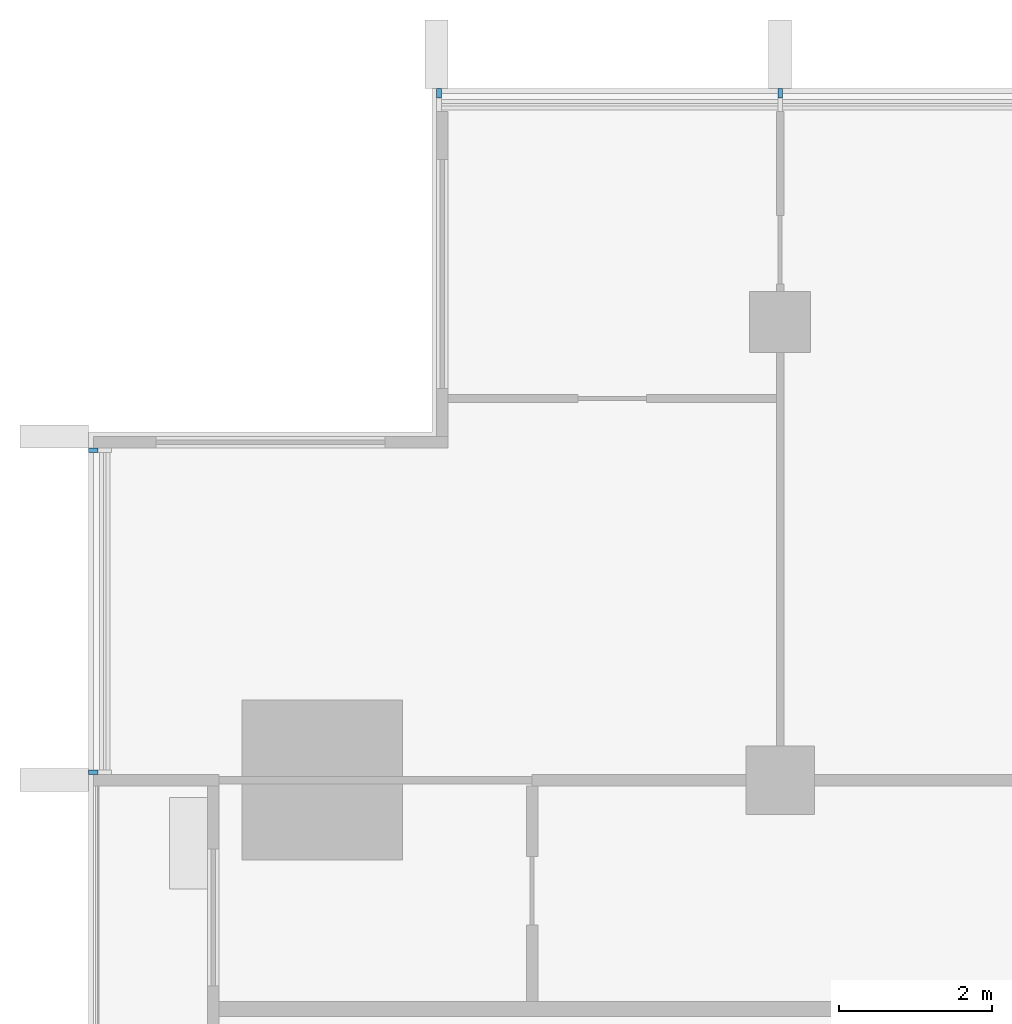
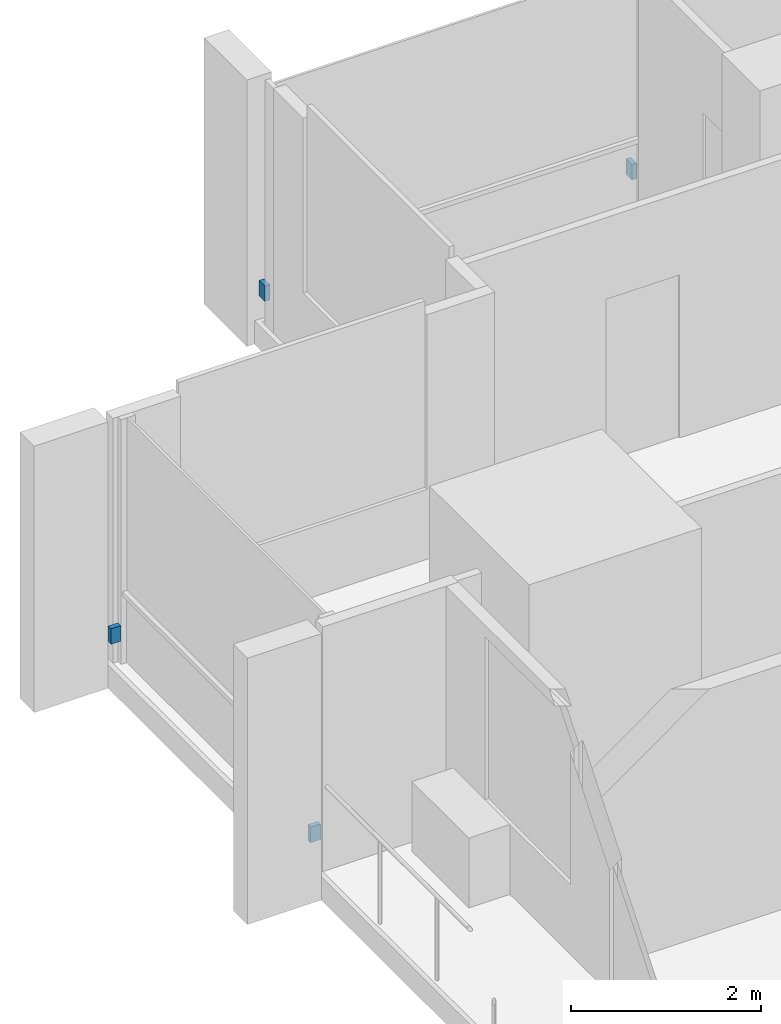
# One storey, part 14 of 16: 4 discrete accessories.
"""IFC4 building model written with IfcOpenShell, lengths in metres."""

import ifcopenshell
import ifcopenshell.guid

model = None  # the IFC model being written
_history = None  # IfcOwnerHistory: only IFC2X3 demands one
_inside = {}  # id of a spatial element -> (the spatial element, [elements in it])
_under = {}  # id of a project, library or spatial element -> (it, [spatial elements below it])
_declared = {}  # id of a project -> (the project, [libraries it declares])
_typed = {}  # id of a type object -> (the type object, [elements of that type])
_made_of = {}  # id of a material, layer set ... -> (it, [elements and type objects made of it])


def new_model(schema):
    """Start an empty IFC model of exactly this schema.

    Asked for "IFC4X3", IfcOpenShell would pick the latest addendum, in which some entities
    have other attributes; the version numbers below select the first issue.
    IFC2X3 requires an IfcOwnerHistory on every rooted entity: one is made here for all.
    """
    global model, _history
    if schema == "IFC4X3":
        model = ifcopenshell.file(schema_version=(4, 3, 0, 0))
    else:
        model = ifcopenshell.file(schema=schema)
    _inside.clear()
    _under.clear()
    _declared.clear()
    _typed.clear()
    _made_of.clear()
    _history = None
    if model.schema == "IFC2X3":
        org = make("IfcOrganization", Name="unknown")
        user = make(
            "IfcPersonAndOrganization",
            ThePerson=make("IfcPerson", FamilyName="unknown"),
            TheOrganization=org,
        )
        app = make(
            "IfcApplication",
            ApplicationDeveloper=org,
            Version="unknown",
            ApplicationFullName="unknown",
            ApplicationIdentifier="unknown",
        )
        _history = make(
            "IfcOwnerHistory",
            OwningUser=user,
            OwningApplication=app,
            ChangeAction="ADDED",
            CreationDate=0,
        )
    return model


def make(cls, **values):
    """One entity of the class cls with the attributes given. An attribute that is None is left unset."""
    return model.create_entity(
        cls, **{name: value for name, value in values.items() if value is not None}
    )


def rooted(cls, **values):
    """An entity with a GlobalId (a new one), such as an element, a storey or a relation."""
    return make(cls, GlobalId=ifcopenshell.guid.new(), OwnerHistory=_history, **values)


def si_unit(unit_type, name, prefix=None):
    """IfcSIUnit, for example si_unit("LENGTHUNIT", "METRE", prefix="MILLI")."""
    return make("IfcSIUnit", UnitType=unit_type, Prefix=prefix, Name=name)


def assignment(units):
    """IfcUnitAssignment: the units of a project."""
    return None if units is None else make("IfcUnitAssignment", Units=units)


def point(xyz):
    """IfcCartesianPoint."""
    return None if xyz is None else make("IfcCartesianPoint", Coordinates=xyz)


def direction(xyz):
    """IfcDirection."""
    return None if xyz is None else make("IfcDirection", DirectionRatios=xyz)


def frame(location, z_axis=None, x_axis=None):
    """IfcAxis2Placement3D, a coordinate frame: its origin and axes. An axis left out is left unset."""
    return make(
        "IfcAxis2Placement3D",
        Location=point(location),
        Axis=direction(z_axis),
        RefDirection=direction(x_axis),
    )


def frame_2d(location, x_axis=None):
    """IfcAxis2Placement2D, a coordinate frame in the plane: its origin and x axis."""
    return make(
        "IfcAxis2Placement2D", Location=point(location), RefDirection=direction(x_axis)
    )


def origin():
    """The frame at (0, 0, 0) with its axes left unset."""
    return frame((0.0, 0.0, 0.0))


def origin_2d():
    """The frame at (0, 0) in the plane with its x axis left unset."""
    return frame_2d((0.0, 0.0))


def place(relative_to, where):
    """IfcLocalPlacement: puts the frame where relative to a parent placement (None: the world)."""
    return make(
        "IfcLocalPlacement", PlacementRelTo=relative_to, RelativePlacement=where
    )


def context(
    kind, dimensions, precision=None, world=None, true_north=None, identifier=None
):
    """IfcGeometricRepresentationContext, for example the 3D "Model" context."""
    return make(
        "IfcGeometricRepresentationContext",
        ContextIdentifier=identifier,
        ContextType=kind,
        CoordinateSpaceDimension=dimensions,
        Precision=precision,
        WorldCoordinateSystem=world,
        TrueNorth=true_north,
    )


def subcontext(parent, identifier, kind, view, scale=None):
    """IfcGeometricRepresentationSubContext, for example "Body" below "Model"."""
    return make(
        "IfcGeometricRepresentationSubContext",
        ContextIdentifier=identifier,
        ContextType=kind,
        ParentContext=parent,
        TargetScale=scale,
        TargetView=view,
    )


def project(units=None, contexts=None):
    """IfcProject with its units and contexts."""
    return rooted(
        "IfcProject",
        Name="project",
        RepresentationContexts=contexts,
        UnitsInContext=assignment(units),
    )


def spatial(cls, under=None, at=None, **own):
    """A site, building, storey or space (cls), placed at a placement, below another one or the project."""
    s = rooted(cls, ObjectPlacement=at, **own)
    if under is not None:
        _under.setdefault(under.id(), (under, []))[1].append(s)
    return s


def profile(cls, at=None, kind="AREA", **sizes):
    """A parametric profile (cls). Its sizes go by their IFC names, for example OverallWidth=200.0."""
    return make(cls, ProfileType=kind, Position=at, **sizes)


def rectangle(**sizes):
    """IfcRectangleProfileDef."""
    return profile("IfcRectangleProfileDef", **sizes)


def extrude(swept, where, along, depth):
    """IfcExtrudedAreaSolid: the profile swept, set in the frame where, extruded along a direction by depth."""
    return make(
        "IfcExtrudedAreaSolid",
        SweptArea=swept,
        Position=where,
        ExtrudedDirection=direction(along),
        Depth=depth,
    )


def shape(context_of_items, identifier, shape_type, items):
    """IfcShapeRepresentation: the items that make up one representation, for example the "Body"."""
    return make(
        "IfcShapeRepresentation",
        ContextOfItems=context_of_items,
        RepresentationIdentifier=identifier,
        RepresentationType=shape_type,
        Items=items,
    )


def material(Name=None, Category=None):
    """IfcMaterial."""
    return make("IfcMaterial", Name=Name, Category=Category)


def made_of(thing, what):
    """Note that an element or type object is made of a material, layer set ...; save() writes the relation."""
    if what is not None:
        _made_of.setdefault(what.id(), (what, []))[1].append(thing)
    return thing


def type_object(cls, material=None, **own):
    """A type object (cls), such as IfcWallType, which elements share."""
    return made_of(rooted(cls, **own), material)


def element(
    cls,
    number,
    at=None,
    inside=None,
    cuts=None,
    type_object=None,
    material=None,
    context=None,
    identifier="Body",
    shape_type=None,
    held_by="IfcProductDefinitionShape",
    body=None,
    shapes=None,
    **own,
):
    """One element of the class cls, such as IfcWall. Its Tag is "e" and its number.

    at: its placement. inside: the storey or other place that contains it. cuts: it is an
    opening in that element (IfcRelVoidsElement). A single representation is given by context,
    identifier, shape_type and body (its items); several are given by shapes. held_by: the class
    of the entity that holds the representations. save() writes the other relations.
    """
    e = rooted(cls, Tag="e%d" % number, ObjectPlacement=at, **own)
    if body is not None:
        shapes = [shape(context, identifier, shape_type, body)]
    if shapes is not None:
        e.Representation = make(held_by, Representations=shapes)
    if inside is not None:
        _inside.setdefault(inside.id(), (inside, []))[1].append(e)
    if cuts is not None:
        rooted(
            "IfcRelVoidsElement", RelatingBuildingElement=cuts, RelatedOpeningElement=e
        )
    if type_object is not None:
        _typed.setdefault(type_object.id(), (type_object, []))[1].append(e)
    return made_of(e, material)


def aggregate(whole, parts):
    """IfcRelAggregates: a whole, such as a stair, and the parts it consists of."""
    return rooted("IfcRelAggregates", RelatingObject=whole, RelatedObjects=parts)


def save(model, path):
    """Write the relations noted so far, then the file.

    IfcRelAggregates (storeys below a building ...), IfcRelContainedInSpatialStructure (elements
    in a storey), IfcRelDefinesByType, IfcRelAssociatesMaterial and IfcRelDeclares: one each for
    every whole, place, type object, material and project.
    """
    for whole, parts in _under.values():
        aggregate(whole, parts)
    for where, things in _inside.values():
        rooted(
            "IfcRelContainedInSpatialStructure",
            RelatedElements=things,
            RelatingStructure=where,
        )
    for kind, things in _typed.values():
        rooted("IfcRelDefinesByType", RelatedObjects=things, RelatingType=kind)
    for what, things in _made_of.values():
        rooted("IfcRelAssociatesMaterial", RelatedObjects=things, RelatingMaterial=what)
    for by, libraries in _declared.values():
        rooted("IfcRelDeclares", RelatingContext=by, RelatedDefinitions=libraries)
    model.write(path)


model = new_model("IFC4")

# Units and contexts
model_context = context("Model", 3, precision=1e-05, world=origin(), true_north=direction((0.0, 1.0)))
body_context = subcontext(model_context, "Body", "Model", "MODEL_VIEW")
ifc_project = project(units=[si_unit("LENGTHUNIT", "METRE"), si_unit("AREAUNIT", "SQUARE_METRE"), si_unit("VOLUMEUNIT", "CUBIC_METRE"), si_unit("PLANEANGLEUNIT", "RADIAN"), si_unit("MASSUNIT", "GRAM", prefix="KILO")], contexts=[model_context])

# Site, building, storey
site_placement = place(None, origin())
site = spatial("IfcSite", under=ifc_project, at=site_placement, CompositionType="ELEMENT")
building_placement = place(site_placement, origin())
building = spatial("IfcBuilding", under=site, at=building_placement, Name="Finial Court Residences", CompositionType="ELEMENT")
storey_placement = place(building_placement, frame((0.0, 0.0, 244.699951171875)))
storey = spatial("IfcBuildingStorey", under=building, at=storey_placement, Name="L62", CompositionType="ELEMENT", Elevation=244.699951171875)

# Discrete accessories
ifc_material = material(Name="Stainless steel 316", Category="steel")
discrete_accessory_type = type_object("IfcDiscreteAccessoryType", Name="Fin bracket, stainless steel 60 x 122 x 200", PredefinedType="BRACKET", material=ifc_material)
for number, where, z_axis, x_axis, name in (
    (1, (-14.969970703125, 16.498779296875, 0.30029296875), (0.0, 0.0, 1.0), (1.0, 0.0, 0.0), "E-L62-FIN-N1-BRK"),
    (2, (-10.5, 16.498779296875, 0.30029296875), (0.0, 0.0, 1.0), (1.0, 0.0, 0.0), "E-L62-FIN-N2-BRK"),
):
    element("IfcDiscreteAccessory", number, at=place(storey_placement, frame(where, z_axis=z_axis, x_axis=x_axis)), inside=storey, type_object=discrete_accessory_type, Name=name, PredefinedType="BRACKET", context=body_context, shape_type="SweptSolid", body=[
        extrude(rectangle(XDim=0.06005859375, YDim=0.12255859375, at=origin_2d()), origin(), (0.0, 0.0, 1.0), 0.199951171875),
    ])
for number, where, z_axis, x_axis, name in (
    (3, (-19.498779296875, 7.60498046875, 0.30029296875), (0.0, 0.0, 1.0), (1.0, 0.0, 0.0), "E-L62-FIN-W25-BRK"),
    (4, (-19.498779296875, 11.820068359375, 0.30029296875), (0.0, 0.0, 1.0), (1.0, 0.0, 0.0), "E-L62-FIN-W26-BRK"),
):
    element("IfcDiscreteAccessory", number, at=place(storey_placement, frame(where, z_axis=z_axis, x_axis=x_axis)), inside=storey, type_object=discrete_accessory_type, Name=name, PredefinedType="BRACKET", context=body_context, shape_type="SweptSolid", body=[
        extrude(rectangle(XDim=0.12255859375, YDim=0.06005859375, at=origin_2d()), origin(), (0.0, 0.0, 1.0), 0.199951171875),
    ])

save(model, "model.ifc")
